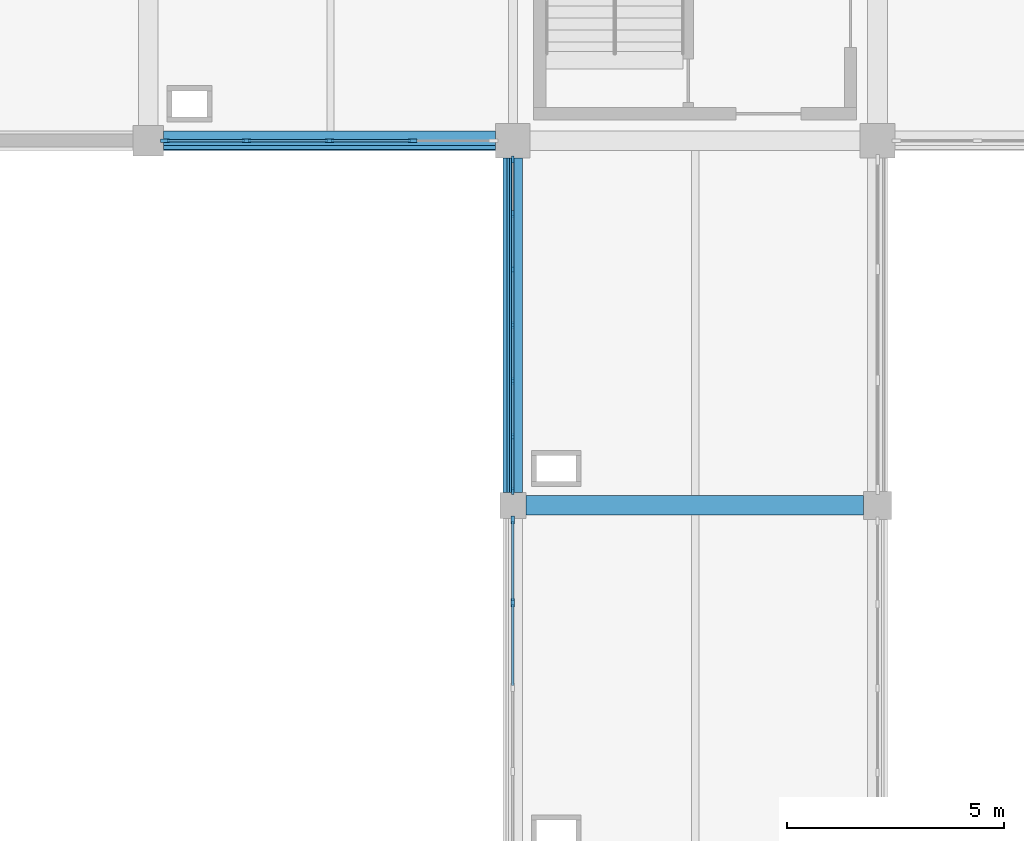
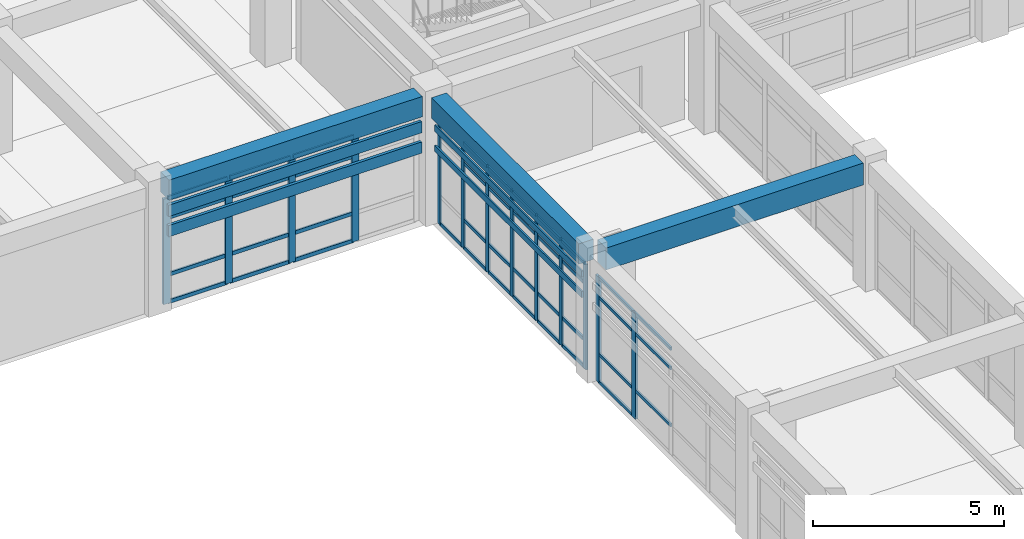
# One storey, part 28 of 74: 57 members, 3 beams, 3 elements without a shape of their own.
"""IFC4 building model written with IfcOpenShell, lengths in metres."""

from ifc_helpers import new_model, si_unit, direction, frame, origin, origin_2d, place, context, subcontext, project, spatial, rectangle, extrude, material, layer, layer_set, material_profile, profile_set, type_object, element, aggregate, save


model = new_model("IFC4")

# Units and contexts
model_context = context("Model", 3, precision=1e-05, world=origin(), true_north=direction((0.0, 1.0)))
body_context = subcontext(model_context, "Body", "Model", "MODEL_VIEW")
ifc_project = project(units=[si_unit("LENGTHUNIT", "METRE"), si_unit("AREAUNIT", "SQUARE_METRE"), si_unit("VOLUMEUNIT", "CUBIC_METRE"), si_unit("PLANEANGLEUNIT", "RADIAN"), si_unit("MASSUNIT", "GRAM", prefix="KILO")], contexts=[model_context])

# Site, building, storey
site_placement = place(None, origin())
site = spatial("IfcSite", under=ifc_project, at=site_placement, CompositionType="ELEMENT")
building_placement = place(site_placement, origin())
building = spatial("IfcBuilding", under=site, at=building_placement, Name="Porcellanite Civic Hall", CompositionType="ELEMENT")
storey_placement = place(building_placement, frame((0.0, 0.0, 14.760009765625)))
storey = spatial("IfcBuildingStorey", under=building, at=storey_placement, Name="L03", CompositionType="ELEMENT", Elevation=14.760009765625)

# Beams
ifc_material_1 = material(Name="Concrete N50 (50 MPa)", Category="concrete")
ifc_material_profile_1 = material_profile(ifc_material_1, rectangle(XDim=0.449951171875, YDim=0.64990234375, at=origin_2d()), Name="RC-450x650")
ifc_profile_set_1 = profile_set([ifc_material_profile_1], Name="Concrete N50 (50 MPa)")
beam_type_1 = type_object("IfcBeamType", Name="BM-RC650", PredefinedType="SPANDREL", material=ifc_profile_set_1)
beam_1_placement = place(storey_placement, frame((42.349609375, 100.800048828125, 3.744873046875), z_axis=(1.0, 0.0, 0.0), x_axis=(0.0, 1.0, 0.0)))
element("IfcBeam", 1, at=beam_1_placement, inside=storey, type_object=beam_type_1, Name="Beam X L03 6-13", PredefinedType="SPANDREL", context=body_context, shape_type="SweptSolid", body=[
    extrude(rectangle(XDim=0.449951171875, YDim=0.64990234375, at=origin_2d()), origin(), (0.0, 0.0, 1.0), 7.65087890625),
])
beam_2_placement = place(storey_placement, frame((50.39990234375, 92.699462890625, 3.744873046875), z_axis=(0.0, 1.0, 0.0), x_axis=(-1.0, 0.0, 0.0)))
element("IfcBeam", 2, at=beam_2_placement, inside=storey, type_object=beam_type_1, Name="Beam Y L03 7-12", PredefinedType="SPANDREL", context=body_context, shape_type="SweptSolid", body=[
    extrude(rectangle(XDim=0.449951171875, YDim=0.64990234375, at=origin_2d()), origin(), (0.0, 0.0, 1.0), 7.700927734375),
])
ifc_material_2 = material(Name="Concrete N50 (50 MPa)", Category="concrete")
ifc_material_profile_2 = material_profile(ifc_material_2, rectangle(XDim=0.449951171875, YDim=0.699951171875, at=origin_2d()), Name="RC-450x700")
ifc_profile_set_2 = profile_set([ifc_material_profile_2], Name="Concrete N50 (50 MPa)")
beam_type_2 = type_object("IfcBeamType", Name="BM-RC700", PredefinedType="BEAM", material=ifc_profile_set_2)
beam_3_placement = place(storey_placement, frame((50.699462890625, 92.39990234375, 3.719970703125), z_axis=(1.0, 0.0, 0.0), x_axis=(0.0, 1.0, 0.0)))
element("IfcBeam", 3, at=beam_3_placement, inside=storey, type_object=beam_type_2, Name="Beam X L03 7-12", PredefinedType="BEAM", context=body_context, shape_type="SweptSolid", body=[
    extrude(rectangle(XDim=0.449951171875, YDim=0.699951171875, at=origin_2d()), origin(), (0.0, 0.0, 1.0), 7.776123046875),
])

# Curtain wall, members
ifc_material_3 = material(Name="Anodised aluminium and solar laminated glass", Category="aluminium")
ifc_layer_1 = layer(ifc_material_3, 0.179931640625)
ifc_layer_set_1 = layer_set([ifc_layer_1], Name="Anodised aluminium and solar laminated glass")
curtain_wall_type_1 = type_object("IfcCurtainWallType", Name="CW-SYS03", PredefinedType="NOTDEFINED", material=ifc_layer_set_1)
curtain_wall_1_placement = place(storey_placement, origin())
curtain_wall_1 = element("IfcCurtainWall", 4, at=curtain_wall_1_placement, inside=storey, type_object=curtain_wall_type_1, Name="Curtain wall CW-192", PredefinedType="NOTDEFINED")
ifc_material_4 = material(Name="Anodised aluminium 6063-T6", Category="aluminium")
ifc_material_profile_3 = material_profile(ifc_material_4, rectangle(XDim=0.080078125, YDim=0.2099609375, at=origin_2d()), Name="AL-80x210")
ifc_profile_set_3 = profile_set([ifc_material_profile_3], Name="Anodised aluminium 6063-T6")
member_type_1 = type_object("IfcMemberType", Name="CWM-02", PredefinedType="MULLION", material=ifc_profile_set_3)
member_1_placement = place(storey_placement, frame((48.0869140625, 100.800048828125, 0.0), z_axis=(0.0, 0.0, 1.0), x_axis=(0.0, -1.0, 0.0)))
member_1 = element("IfcMember", 5, at=member_1_placement, type_object=member_type_1, Name="CW-192 mullion 2", PredefinedType="MULLION", context=body_context, shape_type="SweptSolid", body=[
    extrude(rectangle(XDim=0.080078125, YDim=0.2099609375, at=origin_2d()), origin(), (0.0, 0.0, 1.0), 3.369873046875),
])
member_2_placement = place(storey_placement, frame((46.175048828125, 100.800048828125, 0.0), z_axis=(0.0, 0.0, 1.0), x_axis=(0.0, -1.0, 0.0)))
member_2 = element("IfcMember", 6, at=member_2_placement, type_object=member_type_1, Name="CW-192 mullion 3", PredefinedType="MULLION", context=body_context, shape_type="SweptSolid", body=[
    extrude(rectangle(XDim=0.080078125, YDim=0.2099609375, at=origin_2d()), origin(), (0.0, 0.0, 1.0), 3.369873046875),
])
member_3_placement = place(storey_placement, frame((44.262939453125, 100.800048828125, 0.0), z_axis=(0.0, 0.0, 1.0), x_axis=(0.0, -1.0, 0.0)))
member_3 = element("IfcMember", 7, at=member_3_placement, type_object=member_type_1, Name="CW-192 mullion 4", PredefinedType="MULLION", context=body_context, shape_type="SweptSolid", body=[
    extrude(rectangle(XDim=0.080078125, YDim=0.2099609375, at=origin_2d()), origin(), (0.0, 0.0, 1.0), 3.369873046875),
])
member_4_placement = place(storey_placement, frame((42.39111328125, 100.800048828125, 0.0), z_axis=(0.0, 0.0, 1.0), x_axis=(0.0, -1.0, 0.0)))
member_4 = element("IfcMember", 8, at=member_4_placement, type_object=member_type_1, Name="CW-192 mullion 5", PredefinedType="MULLION", context=body_context, shape_type="SweptSolid", body=[
    extrude(rectangle(XDim=0.080078125, YDim=0.2099609375, at=origin_2d()), origin(), (0.0, 0.0, 1.0), 3.369873046875),
])

ifc_material_5 = material(Name="Anodised aluminium and solar laminated glass", Category="aluminium")
ifc_layer_2 = layer(ifc_material_5, 0.179931640625)
ifc_layer_set_2 = layer_set([ifc_layer_2], Name="Anodised aluminium and solar laminated glass")
curtain_wall_type_2 = type_object("IfcCurtainWallType", Name="CW-SYS04", PredefinedType="NOTDEFINED", material=ifc_layer_set_2)
curtain_wall_2_placement = place(storey_placement, origin())
curtain_wall_2 = element("IfcCurtainWall", 9, at=curtain_wall_2_placement, inside=storey, type_object=curtain_wall_type_2, Name="Curtain wall CW-199", PredefinedType="NOTDEFINED")
ifc_material_6 = material(Name="Anodised aluminium 6063-T6", Category="aluminium")
ifc_material_profile_4 = material_profile(ifc_material_6, rectangle(XDim=0.074951171875, YDim=0.18994140625, at=origin_2d()), Name="AL-75x190")
ifc_profile_set_4 = profile_set([ifc_material_profile_4], Name="Anodised aluminium 6063-T6")
member_type_2 = type_object("IfcMemberType", Name="CWM-04", PredefinedType="MULLION", material=ifc_profile_set_4)
member_5_placement = place(storey_placement, frame((50.39990234375, 90.15576171875, 0.0), z_axis=(0.0, 0.0, 1.0), x_axis=(-1.0, 0.0, 0.0)))
member_5 = element("IfcMember", 10, at=member_5_placement, type_object=member_type_2, Name="CW-199 mullion 4", PredefinedType="MULLION", context=body_context, shape_type="SweptSolid", body=[
    extrude(rectangle(XDim=0.074951171875, YDim=0.18994140625, at=origin_2d()), origin(), (0.0, 0.0, 1.0), 3.369873046875),
])
member_6_placement = place(storey_placement, frame((50.39990234375, 92.0615234375, 0.0), z_axis=(0.0, 0.0, 1.0), x_axis=(-1.0, 0.0, 0.0)))
member_6 = element("IfcMember", 11, at=member_6_placement, type_object=member_type_2, Name="CW-199 mullion 5", PredefinedType="MULLION", context=body_context, shape_type="SweptSolid", body=[
    extrude(rectangle(XDim=0.074951171875, YDim=0.18994140625, at=origin_2d()), origin(), (0.0, 0.0, 1.0), 3.369873046875),
])

ifc_material_7 = material(Name="Anodised aluminium and solar laminated glass", Category="aluminium")
ifc_layer_3 = layer(ifc_material_7, 0.179931640625)
ifc_layer_set_3 = layer_set([ifc_layer_3], Name="Anodised aluminium and solar laminated glass")
curtain_wall_type_3 = type_object("IfcCurtainWallType", Name="CW-SYS07", PredefinedType="NOTDEFINED", material=ifc_layer_set_3)
curtain_wall_3_placement = place(storey_placement, origin())
curtain_wall_3 = element("IfcCurtainWall", 12, at=curtain_wall_3_placement, inside=storey, type_object=curtain_wall_type_3, Name="Curtain wall CW-201", PredefinedType="NOTDEFINED")
ifc_material_8 = material(Name="Anodised aluminium 6063-T6", Category="aluminium")
ifc_material_profile_5 = material_profile(ifc_material_8, rectangle(XDim=0.06005859375, YDim=0.159912109375, at=origin_2d()), Name="AL-60x160")
ifc_profile_set_5 = profile_set([ifc_material_profile_5], Name="Anodised aluminium 6063-T6")
member_type_3 = type_object("IfcMemberType", Name="CWM-07", PredefinedType="MULLION", material=ifc_profile_set_5)
member_7_placement = place(storey_placement, frame((50.39990234375, 92.73095703125, 0.0), z_axis=(0.0, 0.0, 1.0), x_axis=(-1.0, 0.0, 0.0)))
member_7 = element("IfcMember", 13, at=member_7_placement, type_object=member_type_3, Name="CW-201 mullion 1", PredefinedType="MULLION", context=body_context, shape_type="SweptSolid", body=[
    extrude(rectangle(XDim=0.06005859375, YDim=0.159912109375, at=origin_2d()), origin(), (0.0, 0.0, 1.0), 3.369873046875),
])
member_8_placement = place(storey_placement, frame((50.39990234375, 93.98388671875, 0.0), z_axis=(0.0, 0.0, 1.0), x_axis=(-1.0, 0.0, 0.0)))
member_8 = element("IfcMember", 14, at=member_8_placement, type_object=member_type_3, Name="CW-201 mullion 2", PredefinedType="MULLION", context=body_context, shape_type="SweptSolid", body=[
    extrude(rectangle(XDim=0.06005859375, YDim=0.159912109375, at=origin_2d()), origin(), (0.0, 0.0, 1.0), 3.369873046875),
])
member_9_placement = place(storey_placement, frame((50.39990234375, 95.26708984375, 0.0), z_axis=(0.0, 0.0, 1.0), x_axis=(-1.0, 0.0, 0.0)))
member_9 = element("IfcMember", 15, at=member_9_placement, type_object=member_type_3, Name="CW-201 mullion 3", PredefinedType="MULLION", context=body_context, shape_type="SweptSolid", body=[
    extrude(rectangle(XDim=0.06005859375, YDim=0.159912109375, at=origin_2d()), origin(), (0.0, 0.0, 1.0), 3.369873046875),
])
member_10_placement = place(storey_placement, frame((50.39990234375, 96.550048828125, 0.0), z_axis=(0.0, 0.0, 1.0), x_axis=(-1.0, 0.0, 0.0)))
member_10 = element("IfcMember", 16, at=member_10_placement, type_object=member_type_3, Name="CW-201 mullion 4", PredefinedType="MULLION", context=body_context, shape_type="SweptSolid", body=[
    extrude(rectangle(XDim=0.06005859375, YDim=0.159912109375, at=origin_2d()), origin(), (0.0, 0.0, 1.0), 3.369873046875),
])
member_11_placement = place(storey_placement, frame((50.39990234375, 97.8330078125, 0.0), z_axis=(0.0, 0.0, 1.0), x_axis=(-1.0, 0.0, 0.0)))
member_11 = element("IfcMember", 17, at=member_11_placement, type_object=member_type_3, Name="CW-201 mullion 5", PredefinedType="MULLION", context=body_context, shape_type="SweptSolid", body=[
    extrude(rectangle(XDim=0.06005859375, YDim=0.159912109375, at=origin_2d()), origin(), (0.0, 0.0, 1.0), 3.369873046875),
])
member_12_placement = place(storey_placement, frame((50.39990234375, 99.115966796875, 0.0), z_axis=(0.0, 0.0, 1.0), x_axis=(-1.0, 0.0, 0.0)))
member_12 = element("IfcMember", 18, at=member_12_placement, type_object=member_type_3, Name="CW-201 mullion 6", PredefinedType="MULLION", context=body_context, shape_type="SweptSolid", body=[
    extrude(rectangle(XDim=0.06005859375, YDim=0.159912109375, at=origin_2d()), origin(), (0.0, 0.0, 1.0), 3.369873046875),
])
member_13_placement = place(storey_placement, frame((50.39990234375, 100.368896484375, 0.0), z_axis=(0.0, 0.0, 1.0), x_axis=(-1.0, 0.0, 0.0)))
member_13 = element("IfcMember", 19, at=member_13_placement, type_object=member_type_3, Name="CW-201 mullion 7", PredefinedType="MULLION", context=body_context, shape_type="SweptSolid", body=[
    extrude(rectangle(XDim=0.06005859375, YDim=0.159912109375, at=origin_2d()), origin(), (0.0, 0.0, 1.0), 3.369873046875),
])

# Member
ifc_material_9 = material(Name="Anodised aluminium 6063-T6", Category="aluminium")
ifc_material_profile_6 = material_profile(ifc_material_9, rectangle(XDim=0.054931640625, YDim=0.1201171875, at=origin_2d()), Name="AL-55x120")
ifc_profile_set_6 = profile_set([ifc_material_profile_6], Name="Anodised aluminium 6063-T6")
member_type_4 = type_object("IfcMemberType", Name="CWT-04", PredefinedType="USERDEFINED", material=ifc_profile_set_6)
member_14_placement = place(storey_placement, frame((48.047119140625, 100.800048828125, 0.027587890625), z_axis=(-1.0, 0.0, 0.0), x_axis=(0.0, -1.0, 0.0)))
member_14 = element("IfcMember", 20, at=member_14_placement, type_object=member_type_4, Name="CW-192 transom 2.1", ObjectType="TRANSOM", PredefinedType="USERDEFINED", context=body_context, shape_type="SweptSolid", body=[
    extrude(rectangle(XDim=0.054931640625, YDim=0.1201171875, at=origin_2d()), origin(), (0.0, 0.0, 1.0), 1.83203125),
])

member_15_placement = place(storey_placement, frame((48.047119140625, 100.800048828125, 0.89990234375), z_axis=(-1.0, 0.0, 0.0), x_axis=(0.0, -1.0, 0.0)))
member_15 = element("IfcMember", 21, at=member_15_placement, type_object=member_type_4, Name="CW-192 transom 2.2", ObjectType="TRANSOM", PredefinedType="USERDEFINED", context=body_context, shape_type="SweptSolid", body=[
    extrude(rectangle(XDim=0.054931640625, YDim=0.1201171875, at=origin_2d()), origin(), (0.0, 0.0, 1.0), 1.83203125),
])

member_16_placement = place(storey_placement, frame((48.047119140625, 100.800048828125, 2.719970703125), z_axis=(-1.0, 0.0, 0.0), x_axis=(0.0, -1.0, 0.0)))
member_16 = element("IfcMember", 22, at=member_16_placement, type_object=member_type_4, Name="CW-192 transom 2.3", ObjectType="TRANSOM", PredefinedType="USERDEFINED", context=body_context, shape_type="SweptSolid", body=[
    extrude(rectangle(XDim=0.054931640625, YDim=0.1201171875, at=origin_2d()), origin(), (0.0, 0.0, 1.0), 1.83203125),
])

member_17_placement = place(storey_placement, frame((48.047119140625, 100.800048828125, 3.342529296875), z_axis=(-1.0, 0.0, 0.0), x_axis=(0.0, -1.0, 0.0)))
member_17 = element("IfcMember", 23, at=member_17_placement, type_object=member_type_4, Name="CW-192 transom 2.4", ObjectType="TRANSOM", PredefinedType="USERDEFINED", context=body_context, shape_type="SweptSolid", body=[
    extrude(rectangle(XDim=0.054931640625, YDim=0.1201171875, at=origin_2d()), origin(), (0.0, 0.0, 1.0), 1.83203125),
])

member_18_placement = place(storey_placement, frame((46.135009765625, 100.800048828125, 0.027587890625), z_axis=(-1.0, 0.0, 0.0), x_axis=(0.0, -1.0, 0.0)))
member_18 = element("IfcMember", 24, at=member_18_placement, type_object=member_type_4, Name="CW-192 transom 3.1", ObjectType="TRANSOM", PredefinedType="USERDEFINED", context=body_context, shape_type="SweptSolid", body=[
    extrude(rectangle(XDim=0.054931640625, YDim=0.1201171875, at=origin_2d()), origin(), (0.0, 0.0, 1.0), 1.83203125),
])

member_19_placement = place(storey_placement, frame((46.135009765625, 100.800048828125, 0.89990234375), z_axis=(-1.0, 0.0, 0.0), x_axis=(0.0, -1.0, 0.0)))
member_19 = element("IfcMember", 25, at=member_19_placement, type_object=member_type_4, Name="CW-192 transom 3.2", ObjectType="TRANSOM", PredefinedType="USERDEFINED", context=body_context, shape_type="SweptSolid", body=[
    extrude(rectangle(XDim=0.054931640625, YDim=0.1201171875, at=origin_2d()), origin(), (0.0, 0.0, 1.0), 1.83203125),
])

member_20_placement = place(storey_placement, frame((46.135009765625, 100.800048828125, 2.719970703125), z_axis=(-1.0, 0.0, 0.0), x_axis=(0.0, -1.0, 0.0)))
member_20 = element("IfcMember", 26, at=member_20_placement, type_object=member_type_4, Name="CW-192 transom 3.3", ObjectType="TRANSOM", PredefinedType="USERDEFINED", context=body_context, shape_type="SweptSolid", body=[
    extrude(rectangle(XDim=0.054931640625, YDim=0.1201171875, at=origin_2d()), origin(), (0.0, 0.0, 1.0), 1.83203125),
])

member_21_placement = place(storey_placement, frame((46.135009765625, 100.800048828125, 3.342529296875), z_axis=(-1.0, 0.0, 0.0), x_axis=(0.0, -1.0, 0.0)))
member_21 = element("IfcMember", 27, at=member_21_placement, type_object=member_type_4, Name="CW-192 transom 3.4", ObjectType="TRANSOM", PredefinedType="USERDEFINED", context=body_context, shape_type="SweptSolid", body=[
    extrude(rectangle(XDim=0.054931640625, YDim=0.1201171875, at=origin_2d()), origin(), (0.0, 0.0, 1.0), 1.83203125),
])

member_22_placement = place(storey_placement, frame((44.222900390625, 100.800048828125, 0.027587890625), z_axis=(-1.0, 0.0, 0.0), x_axis=(0.0, -1.0, 0.0)))
member_22 = element("IfcMember", 28, at=member_22_placement, type_object=member_type_4, Name="CW-192 transom 4.1", ObjectType="TRANSOM", PredefinedType="USERDEFINED", context=body_context, shape_type="SweptSolid", body=[
    extrude(rectangle(XDim=0.054931640625, YDim=0.1201171875, at=origin_2d()), origin(), (0.0, 0.0, 1.0), 1.7919921875),
])

member_23_placement = place(storey_placement, frame((44.222900390625, 100.800048828125, 0.89990234375), z_axis=(-1.0, 0.0, 0.0), x_axis=(0.0, -1.0, 0.0)))
member_23 = element("IfcMember", 29, at=member_23_placement, type_object=member_type_4, Name="CW-192 transom 4.2", ObjectType="TRANSOM", PredefinedType="USERDEFINED", context=body_context, shape_type="SweptSolid", body=[
    extrude(rectangle(XDim=0.054931640625, YDim=0.1201171875, at=origin_2d()), origin(), (0.0, 0.0, 1.0), 1.7919921875),
])

member_24_placement = place(storey_placement, frame((44.222900390625, 100.800048828125, 2.719970703125), z_axis=(-1.0, 0.0, 0.0), x_axis=(0.0, -1.0, 0.0)))
member_24 = element("IfcMember", 30, at=member_24_placement, type_object=member_type_4, Name="CW-192 transom 4.3", ObjectType="TRANSOM", PredefinedType="USERDEFINED", context=body_context, shape_type="SweptSolid", body=[
    extrude(rectangle(XDim=0.054931640625, YDim=0.1201171875, at=origin_2d()), origin(), (0.0, 0.0, 1.0), 1.7919921875),
])

member_25_placement = place(storey_placement, frame((44.222900390625, 100.800048828125, 3.342529296875), z_axis=(-1.0, 0.0, 0.0), x_axis=(0.0, -1.0, 0.0)))
member_25 = element("IfcMember", 31, at=member_25_placement, type_object=member_type_4, Name="CW-192 transom 4.4", ObjectType="TRANSOM", PredefinedType="USERDEFINED", context=body_context, shape_type="SweptSolid", body=[
    extrude(rectangle(XDim=0.054931640625, YDim=0.1201171875, at=origin_2d()), origin(), (0.0, 0.0, 1.0), 1.7919921875),
])

aggregate(curtain_wall_1, [member_1, member_2, member_3, member_4, member_14, member_15, member_16, member_17, member_18, member_19, member_20, member_21, member_22, member_23, member_24, member_25])

ifc_material_10 = material(Name="Anodised aluminium 6063-T6", Category="aluminium")
ifc_material_profile_7 = material_profile(ifc_material_10, rectangle(XDim=0.054931640625, YDim=0.10009765625, at=origin_2d()), Name="AL-55x100")
ifc_profile_set_7 = profile_set([ifc_material_profile_7], Name="Anodised aluminium 6063-T6")
member_type_5 = type_object("IfcMemberType", Name="CWT-05", PredefinedType="USERDEFINED", material=ifc_profile_set_7)
member_26_placement = place(storey_placement, frame((50.39990234375, 88.25, 0.89990234375), z_axis=(0.0, 1.0, 0.0), x_axis=(-1.0, 0.0, 0.0)))
member_26 = element("IfcMember", 32, at=member_26_placement, type_object=member_type_5, Name="CW-199 transom 3.2", ObjectType="TRANSOM", PredefinedType="USERDEFINED", context=body_context, shape_type="SweptSolid", body=[
    extrude(rectangle(XDim=0.054931640625, YDim=0.10009765625, at=origin_2d()), origin(), (0.0, 0.0, 1.0), 1.8681640625),
])

member_27_placement = place(storey_placement, frame((50.39990234375, 88.25, 2.719970703125), z_axis=(0.0, 1.0, 0.0), x_axis=(-1.0, 0.0, 0.0)))
member_27 = element("IfcMember", 33, at=member_27_placement, type_object=member_type_5, Name="CW-199 transom 3.3", ObjectType="TRANSOM", PredefinedType="USERDEFINED", context=body_context, shape_type="SweptSolid", body=[
    extrude(rectangle(XDim=0.054931640625, YDim=0.10009765625, at=origin_2d()), origin(), (0.0, 0.0, 1.0), 1.8681640625),
])

member_28_placement = place(storey_placement, frame((50.39990234375, 88.25, 3.342529296875), z_axis=(0.0, 1.0, 0.0), x_axis=(-1.0, 0.0, 0.0)))
member_28 = element("IfcMember", 34, at=member_28_placement, type_object=member_type_5, Name="CW-199 transom 3.4", ObjectType="TRANSOM", PredefinedType="USERDEFINED", context=body_context, shape_type="SweptSolid", body=[
    extrude(rectangle(XDim=0.054931640625, YDim=0.10009765625, at=origin_2d()), origin(), (0.0, 0.0, 1.0), 1.8681640625),
])

member_29_placement = place(storey_placement, frame((50.39990234375, 90.193359375, 0.027587890625), z_axis=(0.0, 1.0, 0.0), x_axis=(-1.0, 0.0, 0.0)))
member_29 = element("IfcMember", 35, at=member_29_placement, type_object=member_type_5, Name="CW-199 transom 4.1", ObjectType="TRANSOM", PredefinedType="USERDEFINED", context=body_context, shape_type="SweptSolid", body=[
    extrude(rectangle(XDim=0.054931640625, YDim=0.10009765625, at=origin_2d()), origin(), (0.0, 0.0, 1.0), 1.83056640625),
])

member_30_placement = place(storey_placement, frame((50.39990234375, 90.193359375, 0.89990234375), z_axis=(0.0, 1.0, 0.0), x_axis=(-1.0, 0.0, 0.0)))
member_30 = element("IfcMember", 36, at=member_30_placement, type_object=member_type_5, Name="CW-199 transom 4.2", ObjectType="TRANSOM", PredefinedType="USERDEFINED", context=body_context, shape_type="SweptSolid", body=[
    extrude(rectangle(XDim=0.054931640625, YDim=0.10009765625, at=origin_2d()), origin(), (0.0, 0.0, 1.0), 1.83056640625),
])

member_31_placement = place(storey_placement, frame((50.39990234375, 90.193359375, 2.719970703125), z_axis=(0.0, 1.0, 0.0), x_axis=(-1.0, 0.0, 0.0)))
member_31 = element("IfcMember", 37, at=member_31_placement, type_object=member_type_5, Name="CW-199 transom 4.3", ObjectType="TRANSOM", PredefinedType="USERDEFINED", context=body_context, shape_type="SweptSolid", body=[
    extrude(rectangle(XDim=0.054931640625, YDim=0.10009765625, at=origin_2d()), origin(), (0.0, 0.0, 1.0), 1.83056640625),
])

member_32_placement = place(storey_placement, frame((50.39990234375, 90.193359375, 3.342529296875), z_axis=(0.0, 1.0, 0.0), x_axis=(-1.0, 0.0, 0.0)))
member_32 = element("IfcMember", 38, at=member_32_placement, type_object=member_type_5, Name="CW-199 transom 4.4", ObjectType="TRANSOM", PredefinedType="USERDEFINED", context=body_context, shape_type="SweptSolid", body=[
    extrude(rectangle(XDim=0.054931640625, YDim=0.10009765625, at=origin_2d()), origin(), (0.0, 0.0, 1.0), 1.83056640625),
])

aggregate(curtain_wall_2, [member_5, member_6, member_26, member_27, member_28, member_29, member_30, member_31, member_32])

ifc_material_11 = material(Name="Anodised aluminium 6063-T6", Category="aluminium")
ifc_material_profile_8 = material_profile(ifc_material_11, rectangle(XDim=0.050048828125, YDim=0.110107421875, at=origin_2d()), Name="AL-50x110")
ifc_profile_set_8 = profile_set([ifc_material_profile_8], Name="Anodised aluminium 6063-T6")
member_type_6 = type_object("IfcMemberType", Name="CWT-07", PredefinedType="USERDEFINED", material=ifc_profile_set_8)
member_33_placement = place(storey_placement, frame((50.39990234375, 92.760986328125, 0.02490234375), z_axis=(0.0, 1.0, 0.0), x_axis=(-1.0, 0.0, 0.0)))
member_33 = element("IfcMember", 39, at=member_33_placement, type_object=member_type_6, Name="CW-201 transom 1.1", ObjectType="TRANSOM", PredefinedType="USERDEFINED", context=body_context, shape_type="SweptSolid", body=[
    extrude(rectangle(XDim=0.050048828125, YDim=0.110107421875, at=origin_2d()), origin(), (0.0, 0.0, 1.0), 1.193115234375),
])

member_34_placement = place(storey_placement, frame((50.39990234375, 92.760986328125, 0.89990234375), z_axis=(0.0, 1.0, 0.0), x_axis=(-1.0, 0.0, 0.0)))
member_34 = element("IfcMember", 40, at=member_34_placement, type_object=member_type_6, Name="CW-201 transom 1.2", ObjectType="TRANSOM", PredefinedType="USERDEFINED", context=body_context, shape_type="SweptSolid", body=[
    extrude(rectangle(XDim=0.050048828125, YDim=0.110107421875, at=origin_2d()), origin(), (0.0, 0.0, 1.0), 1.193115234375),
])

member_35_placement = place(storey_placement, frame((50.39990234375, 92.760986328125, 2.719970703125), z_axis=(0.0, 1.0, 0.0), x_axis=(-1.0, 0.0, 0.0)))
member_35 = element("IfcMember", 41, at=member_35_placement, type_object=member_type_6, Name="CW-201 transom 1.3", ObjectType="TRANSOM", PredefinedType="USERDEFINED", context=body_context, shape_type="SweptSolid", body=[
    extrude(rectangle(XDim=0.050048828125, YDim=0.110107421875, at=origin_2d()), origin(), (0.0, 0.0, 1.0), 1.193115234375),
])

member_36_placement = place(storey_placement, frame((50.39990234375, 92.760986328125, 3.344970703125), z_axis=(0.0, 1.0, 0.0), x_axis=(-1.0, 0.0, 0.0)))
member_36 = element("IfcMember", 42, at=member_36_placement, type_object=member_type_6, Name="CW-201 transom 1.4", ObjectType="TRANSOM", PredefinedType="USERDEFINED", context=body_context, shape_type="SweptSolid", body=[
    extrude(rectangle(XDim=0.050048828125, YDim=0.110107421875, at=origin_2d()), origin(), (0.0, 0.0, 1.0), 1.193115234375),
])

member_37_placement = place(storey_placement, frame((50.39990234375, 94.013916015625, 0.02490234375), z_axis=(0.0, 1.0, 0.0), x_axis=(-1.0, 0.0, 0.0)))
member_37 = element("IfcMember", 43, at=member_37_placement, type_object=member_type_6, Name="CW-201 transom 2.1", ObjectType="TRANSOM", PredefinedType="USERDEFINED", context=body_context, shape_type="SweptSolid", body=[
    extrude(rectangle(XDim=0.050048828125, YDim=0.110107421875, at=origin_2d()), origin(), (0.0, 0.0, 1.0), 1.22314453125),
])

member_38_placement = place(storey_placement, frame((50.39990234375, 94.013916015625, 0.89990234375), z_axis=(0.0, 1.0, 0.0), x_axis=(-1.0, 0.0, 0.0)))
member_38 = element("IfcMember", 44, at=member_38_placement, type_object=member_type_6, Name="CW-201 transom 2.2", ObjectType="TRANSOM", PredefinedType="USERDEFINED", context=body_context, shape_type="SweptSolid", body=[
    extrude(rectangle(XDim=0.050048828125, YDim=0.110107421875, at=origin_2d()), origin(), (0.0, 0.0, 1.0), 1.22314453125),
])

member_39_placement = place(storey_placement, frame((50.39990234375, 94.013916015625, 2.719970703125), z_axis=(0.0, 1.0, 0.0), x_axis=(-1.0, 0.0, 0.0)))
member_39 = element("IfcMember", 45, at=member_39_placement, type_object=member_type_6, Name="CW-201 transom 2.3", ObjectType="TRANSOM", PredefinedType="USERDEFINED", context=body_context, shape_type="SweptSolid", body=[
    extrude(rectangle(XDim=0.050048828125, YDim=0.110107421875, at=origin_2d()), origin(), (0.0, 0.0, 1.0), 1.22314453125),
])

member_40_placement = place(storey_placement, frame((50.39990234375, 94.013916015625, 3.344970703125), z_axis=(0.0, 1.0, 0.0), x_axis=(-1.0, 0.0, 0.0)))
member_40 = element("IfcMember", 46, at=member_40_placement, type_object=member_type_6, Name="CW-201 transom 2.4", ObjectType="TRANSOM", PredefinedType="USERDEFINED", context=body_context, shape_type="SweptSolid", body=[
    extrude(rectangle(XDim=0.050048828125, YDim=0.110107421875, at=origin_2d()), origin(), (0.0, 0.0, 1.0), 1.22314453125),
])

member_41_placement = place(storey_placement, frame((50.39990234375, 95.297119140625, 0.02490234375), z_axis=(0.0, 1.0, 0.0), x_axis=(-1.0, 0.0, 0.0)))
member_41 = element("IfcMember", 47, at=member_41_placement, type_object=member_type_6, Name="CW-201 transom 3.1", ObjectType="TRANSOM", PredefinedType="USERDEFINED", context=body_context, shape_type="SweptSolid", body=[
    extrude(rectangle(XDim=0.050048828125, YDim=0.110107421875, at=origin_2d()), origin(), (0.0, 0.0, 1.0), 1.222900390625),
])

member_42_placement = place(storey_placement, frame((50.39990234375, 95.297119140625, 0.89990234375), z_axis=(0.0, 1.0, 0.0), x_axis=(-1.0, 0.0, 0.0)))
member_42 = element("IfcMember", 48, at=member_42_placement, type_object=member_type_6, Name="CW-201 transom 3.2", ObjectType="TRANSOM", PredefinedType="USERDEFINED", context=body_context, shape_type="SweptSolid", body=[
    extrude(rectangle(XDim=0.050048828125, YDim=0.110107421875, at=origin_2d()), origin(), (0.0, 0.0, 1.0), 1.222900390625),
])

member_43_placement = place(storey_placement, frame((50.39990234375, 95.297119140625, 2.719970703125), z_axis=(0.0, 1.0, 0.0), x_axis=(-1.0, 0.0, 0.0)))
member_43 = element("IfcMember", 49, at=member_43_placement, type_object=member_type_6, Name="CW-201 transom 3.3", ObjectType="TRANSOM", PredefinedType="USERDEFINED", context=body_context, shape_type="SweptSolid", body=[
    extrude(rectangle(XDim=0.050048828125, YDim=0.110107421875, at=origin_2d()), origin(), (0.0, 0.0, 1.0), 1.222900390625),
])

member_44_placement = place(storey_placement, frame((50.39990234375, 95.297119140625, 3.344970703125), z_axis=(0.0, 1.0, 0.0), x_axis=(-1.0, 0.0, 0.0)))
member_44 = element("IfcMember", 50, at=member_44_placement, type_object=member_type_6, Name="CW-201 transom 3.4", ObjectType="TRANSOM", PredefinedType="USERDEFINED", context=body_context, shape_type="SweptSolid", body=[
    extrude(rectangle(XDim=0.050048828125, YDim=0.110107421875, at=origin_2d()), origin(), (0.0, 0.0, 1.0), 1.222900390625),
])

member_45_placement = place(storey_placement, frame((50.39990234375, 96.580078125, 0.02490234375), z_axis=(0.0, 1.0, 0.0), x_axis=(-1.0, 0.0, 0.0)))
member_45 = element("IfcMember", 51, at=member_45_placement, type_object=member_type_6, Name="CW-201 transom 4.1", ObjectType="TRANSOM", PredefinedType="USERDEFINED", context=body_context, shape_type="SweptSolid", body=[
    extrude(rectangle(XDim=0.050048828125, YDim=0.110107421875, at=origin_2d()), origin(), (0.0, 0.0, 1.0), 1.222900390625),
])

member_46_placement = place(storey_placement, frame((50.39990234375, 96.580078125, 0.89990234375), z_axis=(0.0, 1.0, 0.0), x_axis=(-1.0, 0.0, 0.0)))
member_46 = element("IfcMember", 52, at=member_46_placement, type_object=member_type_6, Name="CW-201 transom 4.2", ObjectType="TRANSOM", PredefinedType="USERDEFINED", context=body_context, shape_type="SweptSolid", body=[
    extrude(rectangle(XDim=0.050048828125, YDim=0.110107421875, at=origin_2d()), origin(), (0.0, 0.0, 1.0), 1.222900390625),
])

member_47_placement = place(storey_placement, frame((50.39990234375, 96.580078125, 2.719970703125), z_axis=(0.0, 1.0, 0.0), x_axis=(-1.0, 0.0, 0.0)))
member_47 = element("IfcMember", 53, at=member_47_placement, type_object=member_type_6, Name="CW-201 transom 4.3", ObjectType="TRANSOM", PredefinedType="USERDEFINED", context=body_context, shape_type="SweptSolid", body=[
    extrude(rectangle(XDim=0.050048828125, YDim=0.110107421875, at=origin_2d()), origin(), (0.0, 0.0, 1.0), 1.222900390625),
])

member_48_placement = place(storey_placement, frame((50.39990234375, 96.580078125, 3.344970703125), z_axis=(0.0, 1.0, 0.0), x_axis=(-1.0, 0.0, 0.0)))
member_48 = element("IfcMember", 54, at=member_48_placement, type_object=member_type_6, Name="CW-201 transom 4.4", ObjectType="TRANSOM", PredefinedType="USERDEFINED", context=body_context, shape_type="SweptSolid", body=[
    extrude(rectangle(XDim=0.050048828125, YDim=0.110107421875, at=origin_2d()), origin(), (0.0, 0.0, 1.0), 1.222900390625),
])

member_49_placement = place(storey_placement, frame((50.39990234375, 97.863037109375, 0.02490234375), z_axis=(0.0, 1.0, 0.0), x_axis=(-1.0, 0.0, 0.0)))
member_49 = element("IfcMember", 55, at=member_49_placement, type_object=member_type_6, Name="CW-201 transom 5.1", ObjectType="TRANSOM", PredefinedType="USERDEFINED", context=body_context, shape_type="SweptSolid", body=[
    extrude(rectangle(XDim=0.050048828125, YDim=0.110107421875, at=origin_2d()), origin(), (0.0, 0.0, 1.0), 1.222900390625),
])

member_50_placement = place(storey_placement, frame((50.39990234375, 97.863037109375, 0.89990234375), z_axis=(0.0, 1.0, 0.0), x_axis=(-1.0, 0.0, 0.0)))
member_50 = element("IfcMember", 56, at=member_50_placement, type_object=member_type_6, Name="CW-201 transom 5.2", ObjectType="TRANSOM", PredefinedType="USERDEFINED", context=body_context, shape_type="SweptSolid", body=[
    extrude(rectangle(XDim=0.050048828125, YDim=0.110107421875, at=origin_2d()), origin(), (0.0, 0.0, 1.0), 1.222900390625),
])

member_51_placement = place(storey_placement, frame((50.39990234375, 97.863037109375, 2.719970703125), z_axis=(0.0, 1.0, 0.0), x_axis=(-1.0, 0.0, 0.0)))
member_51 = element("IfcMember", 57, at=member_51_placement, type_object=member_type_6, Name="CW-201 transom 5.3", ObjectType="TRANSOM", PredefinedType="USERDEFINED", context=body_context, shape_type="SweptSolid", body=[
    extrude(rectangle(XDim=0.050048828125, YDim=0.110107421875, at=origin_2d()), origin(), (0.0, 0.0, 1.0), 1.222900390625),
])

member_52_placement = place(storey_placement, frame((50.39990234375, 97.863037109375, 3.344970703125), z_axis=(0.0, 1.0, 0.0), x_axis=(-1.0, 0.0, 0.0)))
member_52 = element("IfcMember", 58, at=member_52_placement, type_object=member_type_6, Name="CW-201 transom 5.4", ObjectType="TRANSOM", PredefinedType="USERDEFINED", context=body_context, shape_type="SweptSolid", body=[
    extrude(rectangle(XDim=0.050048828125, YDim=0.110107421875, at=origin_2d()), origin(), (0.0, 0.0, 1.0), 1.222900390625),
])

member_53_placement = place(storey_placement, frame((50.39990234375, 99.14599609375, 0.02490234375), z_axis=(0.0, 1.0, 0.0), x_axis=(-1.0, 0.0, 0.0)))
member_53 = element("IfcMember", 59, at=member_53_placement, type_object=member_type_6, Name="CW-201 transom 6.1", ObjectType="TRANSOM", PredefinedType="USERDEFINED", context=body_context, shape_type="SweptSolid", body=[
    extrude(rectangle(XDim=0.050048828125, YDim=0.110107421875, at=origin_2d()), origin(), (0.0, 0.0, 1.0), 1.193115234375),
])

aggregate(curtain_wall_3, [member_7, member_8, member_9, member_10, member_11, member_12, member_13, member_33, member_34, member_35, member_36, member_37, member_38, member_39, member_40, member_41, member_42, member_43, member_44, member_45, member_46, member_47, member_48, member_49, member_50, member_51, member_52, member_53])

# Members
ifc_material_12 = material(Name="Fluoropolymer bauxite-red aluminium 6063-T6", Category="aluminium")
ifc_material_profile_9 = material_profile(ifc_material_12, rectangle(XDim=0.090087890625, YDim=0.360107421875, at=origin_2d()), Name="AL-90x360")
ifc_profile_set_9 = profile_set([ifc_material_profile_9], Name="Fluoropolymer bauxite-red aluminium 6063-T6")
member_type_7 = type_object("IfcMemberType", Name="LV-BLD01", PredefinedType="USERDEFINED", material=ifc_profile_set_9)
for number, where, z_axis, x_axis, name in (
    (60, (50.00048828125, 100.64794921875, 3.070068359375), (-1.0, 0.0, 0.0), (0.0, -1.0, 0.0), "Cyclone sunshade louvre L03 S 5-12 1"),
    (61, (50.00048828125, 100.64794921875, 2.419921875), (-1.0, 0.0, 0.0), (0.0, -1.0, 0.0), "Cyclone sunshade louvre L03 S 5-12 2"),
):
    element("IfcMember", number, at=place(storey_placement, frame(where, z_axis=z_axis, x_axis=x_axis)), inside=storey, type_object=member_type_7, Name=name, ObjectType="LOUVRE BLADE", PredefinedType="USERDEFINED", context=body_context, shape_type="SweptSolid", body=[
        extrude(rectangle(XDim=0.090087890625, YDim=0.360107421875, at=origin_2d()), origin(), (0.0, 0.0, 1.0), 7.65087890625),
    ])
ifc_material_13 = material(Name="Fluoropolymer bauxite-red aluminium 6063-T6", Category="aluminium")
ifc_material_profile_10 = material_profile(ifc_material_13, rectangle(XDim=0.050048828125, YDim=0.199951171875, at=origin_2d()), Name="AL-50x200")
ifc_profile_set_10 = profile_set([ifc_material_profile_10], Name="Fluoropolymer bauxite-red aluminium 6063-T6")
member_type_8 = type_object("IfcMemberType", Name="LV-BLD10", PredefinedType="USERDEFINED", material=ifc_profile_set_10)
for number, where, z_axis, x_axis, name in (
    (62, (50.29296875, 92.699462890625, 3.070068359375), (0.0, 1.0, 0.0), (-1.0, 0.0, 0.0), "Cyclone sunshade louvre L03 W 6-11 1"),
    (63, (50.29296875, 92.699462890625, 2.419921875), (0.0, 1.0, 0.0), (-1.0, 0.0, 0.0), "Cyclone sunshade louvre L03 W 6-11 2"),
):
    element("IfcMember", number, at=place(storey_placement, frame(where, z_axis=z_axis, x_axis=x_axis)), inside=storey, type_object=member_type_8, Name=name, ObjectType="LOUVRE BLADE", PredefinedType="USERDEFINED", context=body_context, shape_type="SweptSolid", body=[
        extrude(rectangle(XDim=0.050048828125, YDim=0.199951171875, at=origin_2d()), origin(), (0.0, 0.0, 1.0), 7.700927734375),
    ])

save(model, "model.ifc")
